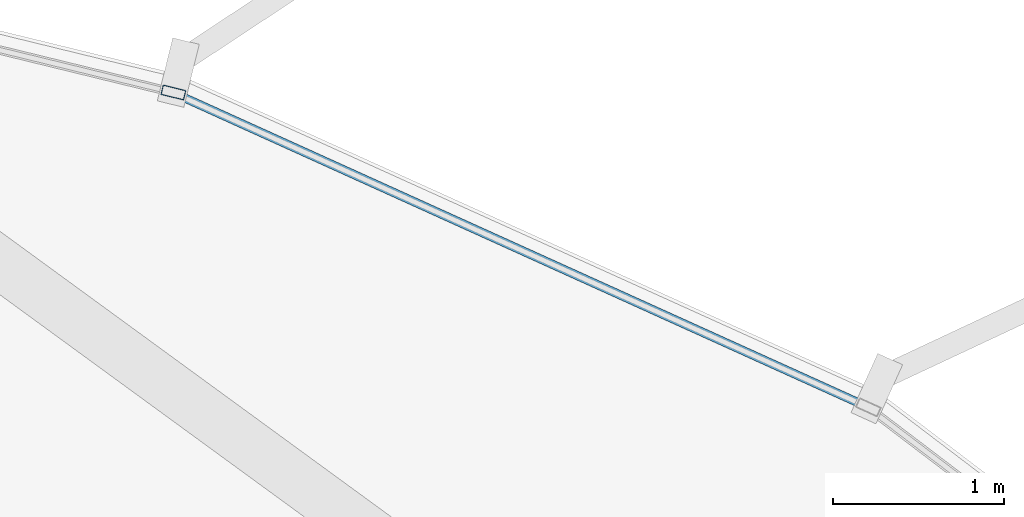
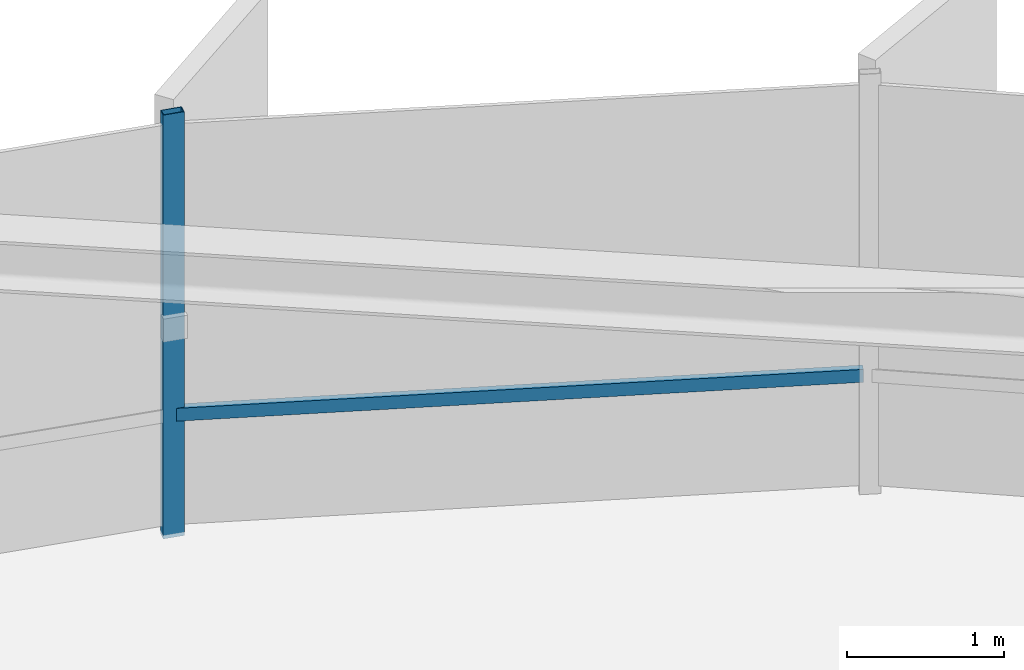
# One storey, part 23 of 34: 2 members, 1 element without a shape of its own.
"""IFC4 building model written with IfcOpenShell, lengths in metres."""

from ifc_helpers import new_model, si_unit, direction, frame, origin, origin_2d, place, context, subcontext, project, spatial, hollow_rectangle, extrude, source, transform, mapped, material, layer, layer_set, material_profile, profile_set, type_object, element, aggregate, save


model = new_model("IFC4")

# Units and contexts
model_context = context("Model", 3, precision=1e-05, world=origin(), true_north=direction((0.0, 1.0)))
body_context = subcontext(model_context, "Body", "Model", "MODEL_VIEW")
ifc_project = project(units=[si_unit("LENGTHUNIT", "METRE"), si_unit("AREAUNIT", "SQUARE_METRE"), si_unit("VOLUMEUNIT", "CUBIC_METRE"), si_unit("PLANEANGLEUNIT", "RADIAN"), si_unit("MASSUNIT", "GRAM", prefix="KILO"), si_unit("THERMODYNAMICTEMPERATUREUNIT", "KELVIN")], contexts=[model_context])

# Site, building, storey
site_placement = place(None, origin())
site = spatial("IfcSite", under=ifc_project, at=site_placement, CompositionType="ELEMENT")
building_placement = place(site_placement, origin())
building = spatial("IfcBuilding", under=site, at=building_placement, Name="Kethvar Cultural Tower", CompositionType="ELEMENT")
storey_placement = place(building_placement, frame((0.0, 0.0, 153.64990234375)))
storey = spatial("IfcBuildingStorey", under=building, at=storey_placement, Name="L39", CompositionType="ELEMENT", Elevation=153.64990234375)

# Curtain wall, members
ifc_material = material(Name="Aluminium 6063-T6", Category="aluminium")
ifc_layer = layer(ifc_material, 0.179931640625, Name="Aluminium 6063-T6", Category="aluminium")
ifc_layer_set = layer_set([ifc_layer], Name="Aluminium 6063-T6 (180 mm)")
curtain_wall_type = type_object("IfcCurtainWallType", Name="CW-SYS-04-Z34", PredefinedType="NOTDEFINED", material=ifc_layer_set)
curtain_wall_placement = place(storey_placement, origin())
curtain_wall = element("IfcCurtainWall", 1, at=curtain_wall_placement, inside=storey, type_object=curtain_wall_type, Name="L39 Curtain Wall Run 01", PredefinedType="NOTDEFINED")
ifc_material_profile_1 = material_profile(ifc_material, hollow_rectangle(XDim=0.06005859375, YDim=0.139892578125, WallThickness=0.0048828125, at=origin_2d()), Name="Aluminium 6063-T6 — RHS140x60x5")
ifc_profile_set_1 = profile_set([ifc_material_profile_1], Name="Aluminium 6063-T6 — RHS140x60x5")
member_type_1 = type_object("IfcMemberType", Name="CW-SYS-04-Z34-MUL", PredefinedType="MULLION", material=ifc_profile_set_1)
shared_shape_1 = source(origin(), body_context, "Body", "SweptSolid", [
    extrude(hollow_rectangle(XDim=0.06005859375, YDim=0.139892578125, WallThickness=0.0048828125, at=origin_2d()), origin(), (0.0, 0.0, 1.0), 3.300048828125),
])
member_1_placement = place(storey_placement, frame((64.3662109375, 50.968505859375, 0.0), z_axis=(0.0, 0.0, 1.0), x_axis=(-0.237431587424, -0.971404262546, 0.0)))
member_1 = element("IfcMember", 2, at=member_1_placement, type_object=member_type_1, Name="CW-L39-R01 Mullion 4", PredefinedType="MULLION", context=body_context, shape_type="MappedRepresentation", body=[
    mapped(shared_shape_1, transform((0.0, 0.0, 0.0), scale=1.0)),
])
ifc_material_profile_2 = material_profile(ifc_material, hollow_rectangle(XDim=0.050048828125, YDim=0.10009765625, WallThickness=0.00390625, at=origin_2d()), Name="Aluminium 6063-T6 — RHS100x50x4")
ifc_profile_set_2 = profile_set([ifc_material_profile_2], Name="Aluminium 6063-T6 — RHS100x50x4")
member_type_2 = type_object("IfcMemberType", Name="CW-SYS-04-Z34-TRN", PredefinedType="USERDEFINED", material=ifc_profile_set_2)
shared_shape_2 = source(origin(), body_context, "Body", "SweptSolid", [
    extrude(hollow_rectangle(XDim=0.050048828125, YDim=0.10009765625, WallThickness=0.00390625, at=origin_2d()), origin(), (0.0, 0.0, 1.0), 4.403076171875),
])
member_2_placement = place(storey_placement, frame((68.39794921875, 49.142333984375, 0.9501953125), z_axis=(-0.911067761042, 0.412256637049, 0.0), x_axis=(-0.412256637049, -0.911067761042, 0.0)))
member_2 = element("IfcMember", 3, at=member_2_placement, type_object=member_type_2, Name="CW-L39-R01 Transom 3", ObjectType="TRANSOM", PredefinedType="USERDEFINED", context=body_context, shape_type="MappedRepresentation", body=[
    mapped(shared_shape_2, transform((0.0, 0.0, 0.0), scale=1.0)),
])
aggregate(curtain_wall, [member_1, member_2])

save(model, "model.ifc")
